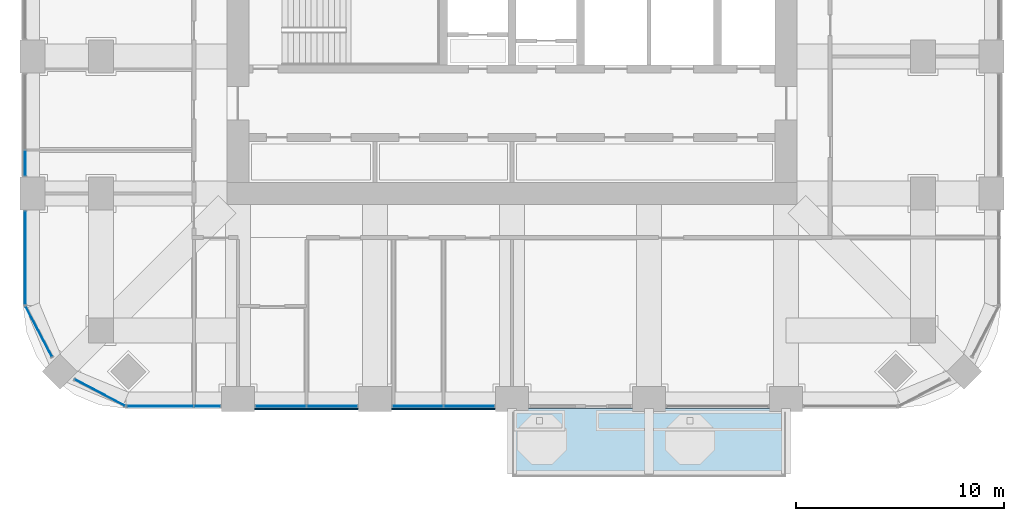
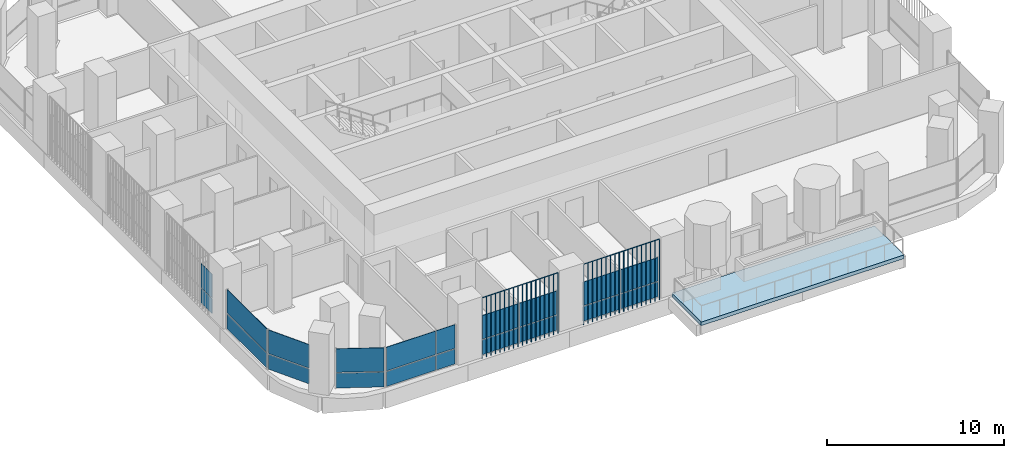
# One storey, part 8 of 19: 22 plates, 1 slab, 7 elements without a shape of their own.
"""IFC4 building model written with IfcOpenShell, lengths in metres."""

from ifc_helpers import new_model, si_unit, direction, frame, origin, origin_2d, place, context, subcontext, project, spatial, polyline, rectangle, outline, extrude, material, layer, layer_set, type_object, element, aggregate, save


model = new_model("IFC4")

# Units and contexts
model_context = context("Model", 3, precision=1e-05, world=origin(), true_north=direction((0.0, 1.0)))
body_context = subcontext(model_context, "Body", "Model", "MODEL_VIEW")
ifc_project = project(units=[si_unit("LENGTHUNIT", "METRE"), si_unit("AREAUNIT", "SQUARE_METRE"), si_unit("VOLUMEUNIT", "CUBIC_METRE"), si_unit("PLANEANGLEUNIT", "RADIAN"), si_unit("MASSUNIT", "GRAM", prefix="KILO")], contexts=[model_context])

# Site, building, storey
site_placement = place(None, origin())
site = spatial("IfcSite", under=ifc_project, at=site_placement, CompositionType="ELEMENT")
building_placement = place(site_placement, origin())
building = spatial("IfcBuilding", under=site, at=building_placement, Name="Cobogo Forest Laboratory Tower", CompositionType="ELEMENT")
storey_placement = place(building_placement, frame((0.0, 0.0, 164.10009765625)))
storey = spatial("IfcBuildingStorey", under=building, at=storey_placement, Name="L37", CompositionType="ELEMENT", Elevation=164.10009765625)

# Slab
ifc_material_1 = material(Name="Concrete HA-40 (C40/50)", Category="concrete")
ifc_layer_1 = layer(ifc_material_1, 0.25)
ifc_layer_set_1 = layer_set([ifc_layer_1], Name="Balcony slab 250")
slab_type = type_object("IfcSlabType", Name="Balcony slab 250", PredefinedType="FLOOR", material=ifc_layer_set_1)
slab_placement = place(storey_placement, frame((0.0, 0.0, -0.25)))
element("IfcSlab", 1, at=slab_placement, inside=storey, type_object=slab_type, Name="Balcony BAL-S1 L37", PredefinedType="FLOOR", context=body_context, shape_type="SweptSolid", body=[
    extrude(outline(polyline([(26.39990234375, -0.449951171875), (39.60009765625, -0.449951171875), (39.60009765625, 2.85009765625), (26.39990234375, 2.85009765625), (26.39990234375, -0.449951171875)])), origin(), (0.0, 0.0, 1.0), 0.25),
])

# Curtain wall, plates
ifc_material_2 = material(Name="Aluminium curtain wall", Category="aluminium")
curtain_wall_type = type_object("IfcCurtainWallType", Name="CW-2 unitised curtain wall, solar control glazing, laboratory floors zones C and D", PredefinedType="USERDEFINED", material=ifc_material_2)
curtain_wall_1_placement = place(storey_placement, origin())
curtain_wall_1 = element("IfcCurtainWall", 2, at=curtain_wall_1_placement, inside=storey, type_object=curtain_wall_type, Name="Curtain wall 01 L37", ObjectType="UNITISED CURTAIN WALL", PredefinedType="USERDEFINED")
ifc_material_3 = material(Name="Solar control insulated glass", Category="glass")
ifc_layer_2 = layer(ifc_material_3, 0.031982421875)
ifc_layer_set_2 = layer_set([ifc_layer_2], Name="GP-2 solar control glass unit 32")
plate_type_1 = type_object("IfcPlateType", Name="GP-2 solar control glass unit 32", PredefinedType="CURTAIN_PANEL", material=ifc_layer_set_2)
plate_1_placement = place(storey_placement, frame((9.452392578125, 2.949951171875, 0.0), z_axis=(0.0, 0.0, 1.0), x_axis=(1.0, 0.0, 0.0)))
plate_1 = element("IfcPlate", 3, at=plate_1_placement, type_object=plate_type_1, Name="CW-2 panel 1.1", PredefinedType="CURTAIN_PANEL", context=body_context, shape_type="SweptSolid", body=[
    extrude(rectangle(XDim=3.18505859375, YDim=0.031982421875, at=origin_2d()), origin(), (0.0, 0.0, 1.0), 1.02001953125),
])
plate_2_placement = place(storey_placement, frame((9.452392578125, 2.949951171875, 1.079833984375), z_axis=(0.0, 0.0, 1.0), x_axis=(1.0, 0.0, 0.0)))
plate_2 = element("IfcPlate", 4, at=plate_2_placement, type_object=plate_type_1, Name="CW-2 panel 1.2", PredefinedType="CURTAIN_PANEL", context=body_context, shape_type="SweptSolid", body=[
    extrude(rectangle(XDim=3.18505859375, YDim=0.031982421875, at=origin_2d()), origin(), (0.0, 0.0, 1.0), 1.6201171875),
])
plate_3_placement = place(storey_placement, frame((11.722412109375, 2.949951171875, 0.0), z_axis=(0.0, 0.0, 1.0), x_axis=(1.0, 0.0, 0.0)))
plate_3 = element("IfcPlate", 5, at=plate_3_placement, type_object=plate_type_1, Name="CW-2 panel 2.1", PredefinedType="CURTAIN_PANEL", context=body_context, shape_type="SweptSolid", body=[
    extrude(rectangle(XDim=1.235107421875, YDim=0.031982421875, at=origin_2d()), origin(), (0.0, 0.0, 1.0), 1.02001953125),
])
plate_4_placement = place(storey_placement, frame((11.722412109375, 2.949951171875, 1.079833984375), z_axis=(0.0, 0.0, 1.0), x_axis=(1.0, 0.0, 0.0)))
plate_4 = element("IfcPlate", 6, at=plate_4_placement, type_object=plate_type_1, Name="CW-2 panel 2.2", PredefinedType="CURTAIN_PANEL", context=body_context, shape_type="SweptSolid", body=[
    extrude(rectangle(XDim=1.235107421875, YDim=0.031982421875, at=origin_2d()), origin(), (0.0, 0.0, 1.0), 1.6201171875),
])
aggregate(curtain_wall_1, [plate_1, plate_2, plate_3, plate_4])

curtain_wall_2_placement = place(storey_placement, origin())
curtain_wall_2 = element("IfcCurtainWall", 7, at=curtain_wall_2_placement, inside=storey, type_object=curtain_wall_type, Name="Curtain wall 02 L37", ObjectType="UNITISED CURTAIN WALL", PredefinedType="USERDEFINED")
plate_5_placement = place(storey_placement, frame((15.264892578125, 2.949951171875, 0.0), z_axis=(0.0, 0.0, 1.0), x_axis=(1.0, 0.0, 0.0)))
plate_5 = element("IfcPlate", 8, at=plate_5_placement, type_object=plate_type_1, Name="CW-2 panel 1.1", PredefinedType="CURTAIN_PANEL", context=body_context, shape_type="SweptSolid", body=[
    extrude(rectangle(XDim=2.409912109375, YDim=0.031982421875, at=origin_2d()), origin(), (0.0, 0.0, 1.0), 1.02001953125),
])
plate_6_placement = place(storey_placement, frame((15.264892578125, 2.949951171875, 1.079833984375), z_axis=(0.0, 0.0, 1.0), x_axis=(1.0, 0.0, 0.0)))
plate_6 = element("IfcPlate", 9, at=plate_6_placement, type_object=plate_type_1, Name="CW-2 panel 1.2", PredefinedType="CURTAIN_PANEL", context=body_context, shape_type="SweptSolid", body=[
    extrude(rectangle(XDim=2.409912109375, YDim=0.031982421875, at=origin_2d()), origin(), (0.0, 0.0, 1.0), 1.6201171875),
])
plate_7_placement = place(storey_placement, frame((17.735107421875, 2.949951171875, 0.0), z_axis=(0.0, 0.0, 1.0), x_axis=(1.0, 0.0, 0.0)))
plate_7 = element("IfcPlate", 10, at=plate_7_placement, type_object=plate_type_1, Name="CW-2 panel 2.1", PredefinedType="CURTAIN_PANEL", context=body_context, shape_type="SweptSolid", body=[
    extrude(rectangle(XDim=2.409912109375, YDim=0.031982421875, at=origin_2d()), origin(), (0.0, 0.0, 1.0), 1.02001953125),
])
plate_8_placement = place(storey_placement, frame((17.735107421875, 2.949951171875, 1.079833984375), z_axis=(0.0, 0.0, 1.0), x_axis=(1.0, 0.0, 0.0)))
plate_8 = element("IfcPlate", 11, at=plate_8_placement, type_object=plate_type_1, Name="CW-2 panel 2.2", PredefinedType="CURTAIN_PANEL", context=body_context, shape_type="SweptSolid", body=[
    extrude(rectangle(XDim=2.409912109375, YDim=0.031982421875, at=origin_2d()), origin(), (0.0, 0.0, 1.0), 1.6201171875),
])
aggregate(curtain_wall_2, [plate_5, plate_6, plate_7, plate_8])

curtain_wall_3_placement = place(storey_placement, origin())
curtain_wall_3 = element("IfcCurtainWall", 12, at=curtain_wall_3_placement, inside=storey, type_object=curtain_wall_type, Name="Curtain wall 03 L37", ObjectType="UNITISED CURTAIN WALL", PredefinedType="USERDEFINED")
plate_9_placement = place(storey_placement, frame((21.864990234375, 2.949951171875, 0.0), z_axis=(0.0, 0.0, 1.0), x_axis=(1.0, 0.0, 0.0)))
plate_9 = element("IfcPlate", 13, at=plate_9_placement, type_object=plate_type_1, Name="CW-2 panel 1.1", PredefinedType="CURTAIN_PANEL", context=body_context, shape_type="SweptSolid", body=[
    extrude(rectangle(XDim=2.409912109375, YDim=0.031982421875, at=origin_2d()), origin(), (0.0, 0.0, 1.0), 1.02001953125),
])
plate_10_placement = place(storey_placement, frame((21.864990234375, 2.949951171875, 1.079833984375), z_axis=(0.0, 0.0, 1.0), x_axis=(1.0, 0.0, 0.0)))
plate_10 = element("IfcPlate", 14, at=plate_10_placement, type_object=plate_type_1, Name="CW-2 panel 1.2", PredefinedType="CURTAIN_PANEL", context=body_context, shape_type="SweptSolid", body=[
    extrude(rectangle(XDim=2.409912109375, YDim=0.031982421875, at=origin_2d()), origin(), (0.0, 0.0, 1.0), 1.6201171875),
])
plate_11_placement = place(storey_placement, frame((24.3349609375, 2.949951171875, 0.0), z_axis=(0.0, 0.0, 1.0), x_axis=(1.0, 0.0, 0.0)))
plate_11 = element("IfcPlate", 15, at=plate_11_placement, type_object=plate_type_1, Name="CW-2 panel 2.1", PredefinedType="CURTAIN_PANEL", context=body_context, shape_type="SweptSolid", body=[
    extrude(rectangle(XDim=2.409912109375, YDim=0.031982421875, at=origin_2d()), origin(), (0.0, 0.0, 1.0), 1.02001953125),
])
plate_12_placement = place(storey_placement, frame((24.3349609375, 2.949951171875, 1.079833984375), z_axis=(0.0, 0.0, 1.0), x_axis=(1.0, 0.0, 0.0)))
plate_12 = element("IfcPlate", 16, at=plate_12_placement, type_object=plate_type_1, Name="CW-2 panel 2.2", PredefinedType="CURTAIN_PANEL", context=body_context, shape_type="SweptSolid", body=[
    extrude(rectangle(XDim=2.409912109375, YDim=0.031982421875, at=origin_2d()), origin(), (0.0, 0.0, 1.0), 1.6201171875),
])
aggregate(curtain_wall_3, [plate_9, plate_10, plate_11, plate_12])

curtain_wall_4_placement = place(storey_placement, origin())
curtain_wall_4 = element("IfcCurtainWall", 17, at=curtain_wall_4_placement, inside=storey, type_object=curtain_wall_type, Name="Curtain wall 27 L37", ObjectType="UNITISED CURTAIN WALL", PredefinedType="USERDEFINED")
plate_13_placement = place(storey_placement, frame((2.949951171875, 14.6650390625, 0.0), z_axis=(0.0, 0.0, 1.0), x_axis=(0.0, -1.0, 0.0)))
plate_13 = element("IfcPlate", 18, at=plate_13_placement, type_object=plate_type_1, Name="CW-2 panel 2.1", PredefinedType="CURTAIN_PANEL", context=body_context, shape_type="SweptSolid", body=[
    extrude(rectangle(XDim=1.2099609375, YDim=0.031982421875, at=origin_2d()), origin(), (0.0, 0.0, 1.0), 1.02001953125),
])
plate_14_placement = place(storey_placement, frame((2.949951171875, 14.6650390625, 1.079833984375), z_axis=(0.0, 0.0, 1.0), x_axis=(0.0, -1.0, 0.0)))
plate_14 = element("IfcPlate", 19, at=plate_14_placement, type_object=plate_type_1, Name="CW-2 panel 2.2", PredefinedType="CURTAIN_PANEL", context=body_context, shape_type="SweptSolid", body=[
    extrude(rectangle(XDim=1.2099609375, YDim=0.031982421875, at=origin_2d()), origin(), (0.0, 0.0, 1.0), 1.6201171875),
])
aggregate(curtain_wall_4, [plate_13, plate_14])

curtain_wall_5_placement = place(storey_placement, origin())
curtain_wall_5 = element("IfcCurtainWall", 20, at=curtain_wall_5_placement, inside=storey, type_object=curtain_wall_type, Name="Curtain wall 28 L37", ObjectType="UNITISED CURTAIN WALL", PredefinedType="USERDEFINED")
plate_15_placement = place(storey_placement, frame((2.949951171875, 10.10009765625, 0.0), z_axis=(0.0, 0.0, 1.0), x_axis=(0.0, -1.0, 0.0)))
plate_15 = element("IfcPlate", 21, at=plate_15_placement, type_object=plate_type_1, Name="CW-2 panel 1.1", PredefinedType="CURTAIN_PANEL", context=body_context, shape_type="SweptSolid", body=[
    extrude(rectangle(XDim=4.47998046875, YDim=0.031982421875, at=origin_2d()), origin(), (0.0, 0.0, 1.0), 1.02001953125),
])
plate_16_placement = place(storey_placement, frame((2.949951171875, 10.10009765625, 1.079833984375), z_axis=(0.0, 0.0, 1.0), x_axis=(0.0, -1.0, 0.0)))
plate_16 = element("IfcPlate", 22, at=plate_16_placement, type_object=plate_type_1, Name="CW-2 panel 1.2", PredefinedType="CURTAIN_PANEL", context=body_context, shape_type="SweptSolid", body=[
    extrude(rectangle(XDim=4.47998046875, YDim=0.031982421875, at=origin_2d()), origin(), (0.0, 0.0, 1.0), 1.6201171875),
])
aggregate(curtain_wall_5, [plate_15, plate_16])

curtain_wall_6_placement = place(storey_placement, origin())
curtain_wall_6 = element("IfcCurtainWall", 23, at=curtain_wall_6_placement, inside=storey, type_object=curtain_wall_type, Name="Curtain wall 29 L37", ObjectType="UNITISED CURTAIN WALL", PredefinedType="USERDEFINED")
plate_17_placement = place(storey_placement, frame((3.6064453125, 6.547607421875, 0.0), z_axis=(0.0, 0.0, 1.0), x_axis=(0.464283818822, -0.885686477022, 0.0)))
plate_17 = element("IfcPlate", 24, at=plate_17_placement, type_object=plate_type_1, Name="CW-2 panel 1.1", PredefinedType="CURTAIN_PANEL", context=body_context, shape_type="SweptSolid", body=[
    extrude(rectangle(XDim=2.7080078125, YDim=0.031982421875, at=origin_2d()), origin(), (0.0, 0.0, 1.0), 1.02001953125),
])
plate_18_placement = place(storey_placement, frame((3.6064453125, 6.547607421875, 1.079833984375), z_axis=(0.0, 0.0, 1.0), x_axis=(0.464283818822, -0.885686477022, 0.0)))
plate_18 = element("IfcPlate", 25, at=plate_18_placement, type_object=plate_type_1, Name="CW-2 panel 1.2", PredefinedType="CURTAIN_PANEL", context=body_context, shape_type="SweptSolid", body=[
    extrude(rectangle(XDim=2.7080078125, YDim=0.031982421875, at=origin_2d()), origin(), (0.0, 0.0, 1.0), 1.6201171875),
])
aggregate(curtain_wall_6, [plate_17, plate_18])

curtain_wall_7_placement = place(storey_placement, origin())
curtain_wall_7 = element("IfcCurtainWall", 26, at=curtain_wall_7_placement, inside=storey, type_object=curtain_wall_type, Name="Curtain wall 30 L37", ObjectType="UNITISED CURTAIN WALL", PredefinedType="USERDEFINED")
plate_19_placement = place(storey_placement, frame((6.547607421875, 3.6064453125, 0.0), z_axis=(0.0, 0.0, 1.0), x_axis=(0.885686477022, -0.464283818822, 0.0)))
plate_19 = element("IfcPlate", 27, at=plate_19_placement, type_object=plate_type_1, Name="CW-2 panel 1.1", PredefinedType="CURTAIN_PANEL", context=body_context, shape_type="SweptSolid", body=[
    extrude(rectangle(XDim=2.7080078125, YDim=0.031982421875, at=origin_2d()), origin(), (0.0, 0.0, 1.0), 1.02001953125),
])
plate_20_placement = place(storey_placement, frame((6.547607421875, 3.6064453125, 1.079833984375), z_axis=(0.0, 0.0, 1.0), x_axis=(0.885686477022, -0.464283818822, 0.0)))
plate_20 = element("IfcPlate", 28, at=plate_20_placement, type_object=plate_type_1, Name="CW-2 panel 1.2", PredefinedType="CURTAIN_PANEL", context=body_context, shape_type="SweptSolid", body=[
    extrude(rectangle(XDim=2.7080078125, YDim=0.031982421875, at=origin_2d()), origin(), (0.0, 0.0, 1.0), 1.6201171875),
])
aggregate(curtain_wall_7, [plate_19, plate_20])

# Plates
ifc_material_4 = material(Name="Terracotta", Category="masonry")
plate_type_2 = type_object("IfcPlateType", Name="TB1 terracotta baguette screen", PredefinedType="USERDEFINED", material=ifc_material_4)
plate_21_placement = place(storey_placement, frame((14.03125, 2.822021484375, -0.150146484375)))
element("IfcPlate", 29, at=plate_21_placement, inside=storey, type_object=plate_type_2, Name="Baguette screen S1 L37", ObjectType="BAGUETTE SCREEN", PredefinedType="USERDEFINED", context=body_context, shape_type="SweptSolid", body=[
    extrude(outline(polyline([(0.02880859375, 0.011962890625), (0.011962890625, 0.02880859375), (-0.011962890625, 0.02880859375), (-0.02880859375, 0.011962890625), (-0.02880859375, -0.011962890625), (-0.011962890625, -0.02880859375), (0.011962890625, -0.02880859375), (0.02880859375, -0.011962890625), (0.02880859375, 0.011962890625)])), frame((0.0, 0.0, 4.168701171875), z_axis=(1.0, 0.0, 0.0), x_axis=(0.0, 1.0, 0.0)), (0.0, 0.0, 1.0), 4.9375),
    extrude(outline(polyline([(0.02880859375, 0.011962890625), (0.011962890625, 0.02880859375), (-0.011962890625, 0.02880859375), (-0.02880859375, 0.011962890625), (-0.02880859375, -0.011962890625), (-0.011962890625, -0.02880859375), (0.011962890625, -0.02880859375), (0.02880859375, -0.011962890625), (0.02880859375, 0.011962890625)])), origin(), (0.0, 0.0, 1.0), 4.137451171875),
    extrude(outline(polyline([(0.02880859375, 0.011962890625), (0.011962890625, 0.02880859375), (-0.011962890625, 0.02880859375), (-0.02880859375, 0.011962890625), (-0.02880859375, -0.011962890625), (-0.011962890625, -0.02880859375), (0.011962890625, -0.02880859375), (0.02880859375, -0.011962890625), (0.02880859375, 0.011962890625)])), frame((0.29052734375, 0.0, 0.0)), (0.0, 0.0, 1.0), 4.137451171875),
    extrude(outline(polyline([(0.02880859375, 0.011962890625), (0.011962890625, 0.02880859375), (-0.011962890625, 0.02880859375), (-0.02880859375, 0.011962890625), (-0.02880859375, -0.011962890625), (-0.011962890625, -0.02880859375), (0.011962890625, -0.02880859375), (0.02880859375, -0.011962890625), (0.02880859375, 0.011962890625)])), frame((0.580810546875, 0.0, 0.0)), (0.0, 0.0, 1.0), 4.137451171875),
    extrude(outline(polyline([(0.02880859375, 0.011962890625), (0.011962890625, 0.02880859375), (-0.011962890625, 0.02880859375), (-0.02880859375, 0.011962890625), (-0.02880859375, -0.011962890625), (-0.011962890625, -0.02880859375), (0.011962890625, -0.02880859375), (0.02880859375, -0.011962890625), (0.02880859375, 0.011962890625)])), frame((0.871337890625, 0.0, 0.0)), (0.0, 0.0, 1.0), 4.137451171875),
    extrude(outline(polyline([(0.02880859375, 0.011962890625), (0.011962890625, 0.02880859375), (-0.011962890625, 0.02880859375), (-0.02880859375, 0.011962890625), (-0.02880859375, -0.011962890625), (-0.011962890625, -0.02880859375), (0.011962890625, -0.02880859375), (0.02880859375, -0.011962890625), (0.02880859375, 0.011962890625)])), frame((1.161865234375, 0.0, 0.0)), (0.0, 0.0, 1.0), 4.137451171875),
    extrude(outline(polyline([(0.02880859375, 0.011962890625), (0.011962890625, 0.02880859375), (-0.011962890625, 0.02880859375), (-0.02880859375, 0.011962890625), (-0.02880859375, -0.011962890625), (-0.011962890625, -0.02880859375), (0.011962890625, -0.02880859375), (0.02880859375, -0.011962890625), (0.02880859375, 0.011962890625)])), frame((1.4521484375, 0.0, 0.0)), (0.0, 0.0, 1.0), 4.137451171875),
    extrude(outline(polyline([(0.02880859375, 0.011962890625), (0.011962890625, 0.02880859375), (-0.011962890625, 0.02880859375), (-0.02880859375, 0.011962890625), (-0.02880859375, -0.011962890625), (-0.011962890625, -0.02880859375), (0.011962890625, -0.02880859375), (0.02880859375, -0.011962890625), (0.02880859375, 0.011962890625)])), frame((1.74267578125, 0.0, 0.0)), (0.0, 0.0, 1.0), 4.137451171875),
    extrude(outline(polyline([(0.02880859375, 0.011962890625), (0.011962890625, 0.02880859375), (-0.011962890625, 0.02880859375), (-0.02880859375, 0.011962890625), (-0.02880859375, -0.011962890625), (-0.011962890625, -0.02880859375), (0.011962890625, -0.02880859375), (0.02880859375, -0.011962890625), (0.02880859375, 0.011962890625)])), frame((2.033203125, 0.0, 0.0)), (0.0, 0.0, 1.0), 4.137451171875),
    extrude(outline(polyline([(0.02880859375, 0.011962890625), (0.011962890625, 0.02880859375), (-0.011962890625, 0.02880859375), (-0.02880859375, 0.011962890625), (-0.02880859375, -0.011962890625), (-0.011962890625, -0.02880859375), (0.011962890625, -0.02880859375), (0.02880859375, -0.011962890625), (0.02880859375, 0.011962890625)])), frame((2.323486328125, 0.0, 0.0)), (0.0, 0.0, 1.0), 4.137451171875),
    extrude(outline(polyline([(0.02880859375, 0.011962890625), (0.011962890625, 0.02880859375), (-0.011962890625, 0.02880859375), (-0.02880859375, 0.011962890625), (-0.02880859375, -0.011962890625), (-0.011962890625, -0.02880859375), (0.011962890625, -0.02880859375), (0.02880859375, -0.011962890625), (0.02880859375, 0.011962890625)])), frame((2.614013671875, 0.0, 0.0)), (0.0, 0.0, 1.0), 4.137451171875),
    extrude(outline(polyline([(0.02880859375, 0.011962890625), (0.011962890625, 0.02880859375), (-0.011962890625, 0.02880859375), (-0.02880859375, 0.011962890625), (-0.02880859375, -0.011962890625), (-0.011962890625, -0.02880859375), (0.011962890625, -0.02880859375), (0.02880859375, -0.011962890625), (0.02880859375, 0.011962890625)])), frame((2.904296875, 0.0, 0.0)), (0.0, 0.0, 1.0), 4.137451171875),
    extrude(outline(polyline([(0.02880859375, 0.011962890625), (0.011962890625, 0.02880859375), (-0.011962890625, 0.02880859375), (-0.02880859375, 0.011962890625), (-0.02880859375, -0.011962890625), (-0.011962890625, -0.02880859375), (0.011962890625, -0.02880859375), (0.02880859375, -0.011962890625), (0.02880859375, 0.011962890625)])), frame((3.19482421875, 0.0, 0.0)), (0.0, 0.0, 1.0), 4.137451171875),
    extrude(outline(polyline([(0.02880859375, 0.011962890625), (0.011962890625, 0.02880859375), (-0.011962890625, 0.02880859375), (-0.02880859375, 0.011962890625), (-0.02880859375, -0.011962890625), (-0.011962890625, -0.02880859375), (0.011962890625, -0.02880859375), (0.02880859375, -0.011962890625), (0.02880859375, 0.011962890625)])), frame((3.4853515625, 0.0, 0.0)), (0.0, 0.0, 1.0), 4.137451171875),
    extrude(outline(polyline([(0.02880859375, 0.011962890625), (0.011962890625, 0.02880859375), (-0.011962890625, 0.02880859375), (-0.02880859375, 0.011962890625), (-0.02880859375, -0.011962890625), (-0.011962890625, -0.02880859375), (0.011962890625, -0.02880859375), (0.02880859375, -0.011962890625), (0.02880859375, 0.011962890625)])), frame((3.775634765625, 0.0, 0.0)), (0.0, 0.0, 1.0), 4.137451171875),
    extrude(outline(polyline([(0.02880859375, 0.011962890625), (0.011962890625, 0.02880859375), (-0.011962890625, 0.02880859375), (-0.02880859375, 0.011962890625), (-0.02880859375, -0.011962890625), (-0.011962890625, -0.02880859375), (0.011962890625, -0.02880859375), (0.02880859375, -0.011962890625), (0.02880859375, 0.011962890625)])), frame((4.066162109375, 0.0, 0.0)), (0.0, 0.0, 1.0), 4.137451171875),
    extrude(outline(polyline([(0.02880859375, 0.011962890625), (0.011962890625, 0.02880859375), (-0.011962890625, 0.02880859375), (-0.02880859375, 0.011962890625), (-0.02880859375, -0.011962890625), (-0.011962890625, -0.02880859375), (0.011962890625, -0.02880859375), (0.02880859375, -0.011962890625), (0.02880859375, 0.011962890625)])), frame((4.356689453125, 0.0, 0.0)), (0.0, 0.0, 1.0), 4.137451171875),
    extrude(outline(polyline([(0.02880859375, 0.011962890625), (0.011962890625, 0.02880859375), (-0.011962890625, 0.02880859375), (-0.02880859375, 0.011962890625), (-0.02880859375, -0.011962890625), (-0.011962890625, -0.02880859375), (0.011962890625, -0.02880859375), (0.02880859375, -0.011962890625), (0.02880859375, 0.011962890625)])), frame((4.64697265625, 0.0, 0.0)), (0.0, 0.0, 1.0), 4.137451171875),
    extrude(outline(polyline([(0.02880859375, 0.011962890625), (0.011962890625, 0.02880859375), (-0.011962890625, 0.02880859375), (-0.02880859375, 0.011962890625), (-0.02880859375, -0.011962890625), (-0.011962890625, -0.02880859375), (0.011962890625, -0.02880859375), (0.02880859375, -0.011962890625), (0.02880859375, 0.011962890625)])), frame((4.9375, 0.0, 0.0)), (0.0, 0.0, 1.0), 4.137451171875),
])
plate_22_placement = place(storey_placement, frame((20.63134765625, 2.822021484375, -0.150146484375)))
element("IfcPlate", 30, at=plate_22_placement, inside=storey, type_object=plate_type_2, Name="Baguette screen S2 L37", ObjectType="BAGUETTE SCREEN", PredefinedType="USERDEFINED", context=body_context, shape_type="SweptSolid", body=[
    extrude(outline(polyline([(0.02880859375, 0.011962890625), (0.011962890625, 0.02880859375), (-0.011962890625, 0.02880859375), (-0.02880859375, 0.011962890625), (-0.02880859375, -0.011962890625), (-0.011962890625, -0.02880859375), (0.011962890625, -0.02880859375), (0.02880859375, -0.011962890625), (0.02880859375, 0.011962890625)])), frame((0.0, 0.0, 4.168701171875), z_axis=(1.0, 0.0, 0.0), x_axis=(0.0, 1.0, 0.0)), (0.0, 0.0, 1.0), 4.9375),
    extrude(outline(polyline([(0.02880859375, 0.011962890625), (0.011962890625, 0.02880859375), (-0.011962890625, 0.02880859375), (-0.02880859375, 0.011962890625), (-0.02880859375, -0.011962890625), (-0.011962890625, -0.02880859375), (0.011962890625, -0.02880859375), (0.02880859375, -0.011962890625), (0.02880859375, 0.011962890625)])), origin(), (0.0, 0.0, 1.0), 4.137451171875),
    extrude(outline(polyline([(0.02880859375, 0.011962890625), (0.011962890625, 0.02880859375), (-0.011962890625, 0.02880859375), (-0.02880859375, 0.011962890625), (-0.02880859375, -0.011962890625), (-0.011962890625, -0.02880859375), (0.011962890625, -0.02880859375), (0.02880859375, -0.011962890625), (0.02880859375, 0.011962890625)])), frame((0.29052734375, 0.0, 0.0)), (0.0, 0.0, 1.0), 4.137451171875),
    extrude(outline(polyline([(0.02880859375, 0.011962890625), (0.011962890625, 0.02880859375), (-0.011962890625, 0.02880859375), (-0.02880859375, 0.011962890625), (-0.02880859375, -0.011962890625), (-0.011962890625, -0.02880859375), (0.011962890625, -0.02880859375), (0.02880859375, -0.011962890625), (0.02880859375, 0.011962890625)])), frame((0.580810546875, 0.0, 0.0)), (0.0, 0.0, 1.0), 4.137451171875),
    extrude(outline(polyline([(0.02880859375, 0.011962890625), (0.011962890625, 0.02880859375), (-0.011962890625, 0.02880859375), (-0.02880859375, 0.011962890625), (-0.02880859375, -0.011962890625), (-0.011962890625, -0.02880859375), (0.011962890625, -0.02880859375), (0.02880859375, -0.011962890625), (0.02880859375, 0.011962890625)])), frame((0.871337890625, 0.0, 0.0)), (0.0, 0.0, 1.0), 4.137451171875),
    extrude(outline(polyline([(0.02880859375, 0.011962890625), (0.011962890625, 0.02880859375), (-0.011962890625, 0.02880859375), (-0.02880859375, 0.011962890625), (-0.02880859375, -0.011962890625), (-0.011962890625, -0.02880859375), (0.011962890625, -0.02880859375), (0.02880859375, -0.011962890625), (0.02880859375, 0.011962890625)])), frame((1.161865234375, 0.0, 0.0)), (0.0, 0.0, 1.0), 4.137451171875),
    extrude(outline(polyline([(0.02880859375, 0.011962890625), (0.011962890625, 0.02880859375), (-0.011962890625, 0.02880859375), (-0.02880859375, 0.011962890625), (-0.02880859375, -0.011962890625), (-0.011962890625, -0.02880859375), (0.011962890625, -0.02880859375), (0.02880859375, -0.011962890625), (0.02880859375, 0.011962890625)])), frame((1.4521484375, 0.0, 0.0)), (0.0, 0.0, 1.0), 4.137451171875),
    extrude(outline(polyline([(0.02880859375, 0.011962890625), (0.011962890625, 0.02880859375), (-0.011962890625, 0.02880859375), (-0.02880859375, 0.011962890625), (-0.02880859375, -0.011962890625), (-0.011962890625, -0.02880859375), (0.011962890625, -0.02880859375), (0.02880859375, -0.011962890625), (0.02880859375, 0.011962890625)])), frame((1.74267578125, 0.0, 0.0)), (0.0, 0.0, 1.0), 4.137451171875),
    extrude(outline(polyline([(0.02880859375, 0.011962890625), (0.011962890625, 0.02880859375), (-0.011962890625, 0.02880859375), (-0.02880859375, 0.011962890625), (-0.02880859375, -0.011962890625), (-0.011962890625, -0.02880859375), (0.011962890625, -0.02880859375), (0.02880859375, -0.011962890625), (0.02880859375, 0.011962890625)])), frame((2.033203125, 0.0, 0.0)), (0.0, 0.0, 1.0), 4.137451171875),
    extrude(outline(polyline([(0.02880859375, 0.011962890625), (0.011962890625, 0.02880859375), (-0.011962890625, 0.02880859375), (-0.02880859375, 0.011962890625), (-0.02880859375, -0.011962890625), (-0.011962890625, -0.02880859375), (0.011962890625, -0.02880859375), (0.02880859375, -0.011962890625), (0.02880859375, 0.011962890625)])), frame((2.323486328125, 0.0, 0.0)), (0.0, 0.0, 1.0), 4.137451171875),
    extrude(outline(polyline([(0.02880859375, 0.011962890625), (0.011962890625, 0.02880859375), (-0.011962890625, 0.02880859375), (-0.02880859375, 0.011962890625), (-0.02880859375, -0.011962890625), (-0.011962890625, -0.02880859375), (0.011962890625, -0.02880859375), (0.02880859375, -0.011962890625), (0.02880859375, 0.011962890625)])), frame((2.614013671875, 0.0, 0.0)), (0.0, 0.0, 1.0), 4.137451171875),
    extrude(outline(polyline([(0.02880859375, 0.011962890625), (0.011962890625, 0.02880859375), (-0.011962890625, 0.02880859375), (-0.02880859375, 0.011962890625), (-0.02880859375, -0.011962890625), (-0.011962890625, -0.02880859375), (0.011962890625, -0.02880859375), (0.02880859375, -0.011962890625), (0.02880859375, 0.011962890625)])), frame((2.904296875, 0.0, 0.0)), (0.0, 0.0, 1.0), 4.137451171875),
    extrude(outline(polyline([(0.02880859375, 0.011962890625), (0.011962890625, 0.02880859375), (-0.011962890625, 0.02880859375), (-0.02880859375, 0.011962890625), (-0.02880859375, -0.011962890625), (-0.011962890625, -0.02880859375), (0.011962890625, -0.02880859375), (0.02880859375, -0.011962890625), (0.02880859375, 0.011962890625)])), frame((3.19482421875, 0.0, 0.0)), (0.0, 0.0, 1.0), 4.137451171875),
    extrude(outline(polyline([(0.02880859375, 0.011962890625), (0.011962890625, 0.02880859375), (-0.011962890625, 0.02880859375), (-0.02880859375, 0.011962890625), (-0.02880859375, -0.011962890625), (-0.011962890625, -0.02880859375), (0.011962890625, -0.02880859375), (0.02880859375, -0.011962890625), (0.02880859375, 0.011962890625)])), frame((3.4853515625, 0.0, 0.0)), (0.0, 0.0, 1.0), 4.137451171875),
    extrude(outline(polyline([(0.02880859375, 0.011962890625), (0.011962890625, 0.02880859375), (-0.011962890625, 0.02880859375), (-0.02880859375, 0.011962890625), (-0.02880859375, -0.011962890625), (-0.011962890625, -0.02880859375), (0.011962890625, -0.02880859375), (0.02880859375, -0.011962890625), (0.02880859375, 0.011962890625)])), frame((3.775634765625, 0.0, 0.0)), (0.0, 0.0, 1.0), 4.137451171875),
    extrude(outline(polyline([(0.02880859375, 0.011962890625), (0.011962890625, 0.02880859375), (-0.011962890625, 0.02880859375), (-0.02880859375, 0.011962890625), (-0.02880859375, -0.011962890625), (-0.011962890625, -0.02880859375), (0.011962890625, -0.02880859375), (0.02880859375, -0.011962890625), (0.02880859375, 0.011962890625)])), frame((4.066162109375, 0.0, 0.0)), (0.0, 0.0, 1.0), 4.137451171875),
    extrude(outline(polyline([(0.02880859375, 0.011962890625), (0.011962890625, 0.02880859375), (-0.011962890625, 0.02880859375), (-0.02880859375, 0.011962890625), (-0.02880859375, -0.011962890625), (-0.011962890625, -0.02880859375), (0.011962890625, -0.02880859375), (0.02880859375, -0.011962890625), (0.02880859375, 0.011962890625)])), frame((4.356689453125, 0.0, 0.0)), (0.0, 0.0, 1.0), 4.137451171875),
    extrude(outline(polyline([(0.02880859375, 0.011962890625), (0.011962890625, 0.02880859375), (-0.011962890625, 0.02880859375), (-0.02880859375, 0.011962890625), (-0.02880859375, -0.011962890625), (-0.011962890625, -0.02880859375), (0.011962890625, -0.02880859375), (0.02880859375, -0.011962890625), (0.02880859375, 0.011962890625)])), frame((4.64697265625, 0.0, 0.0)), (0.0, 0.0, 1.0), 4.137451171875),
    extrude(outline(polyline([(0.02880859375, 0.011962890625), (0.011962890625, 0.02880859375), (-0.011962890625, 0.02880859375), (-0.02880859375, 0.011962890625), (-0.02880859375, -0.011962890625), (-0.011962890625, -0.02880859375), (0.011962890625, -0.02880859375), (0.02880859375, -0.011962890625), (0.02880859375, 0.011962890625)])), frame((4.9375, 0.0, 0.0)), (0.0, 0.0, 1.0), 4.137451171875),
])

save(model, "model.ifc")
